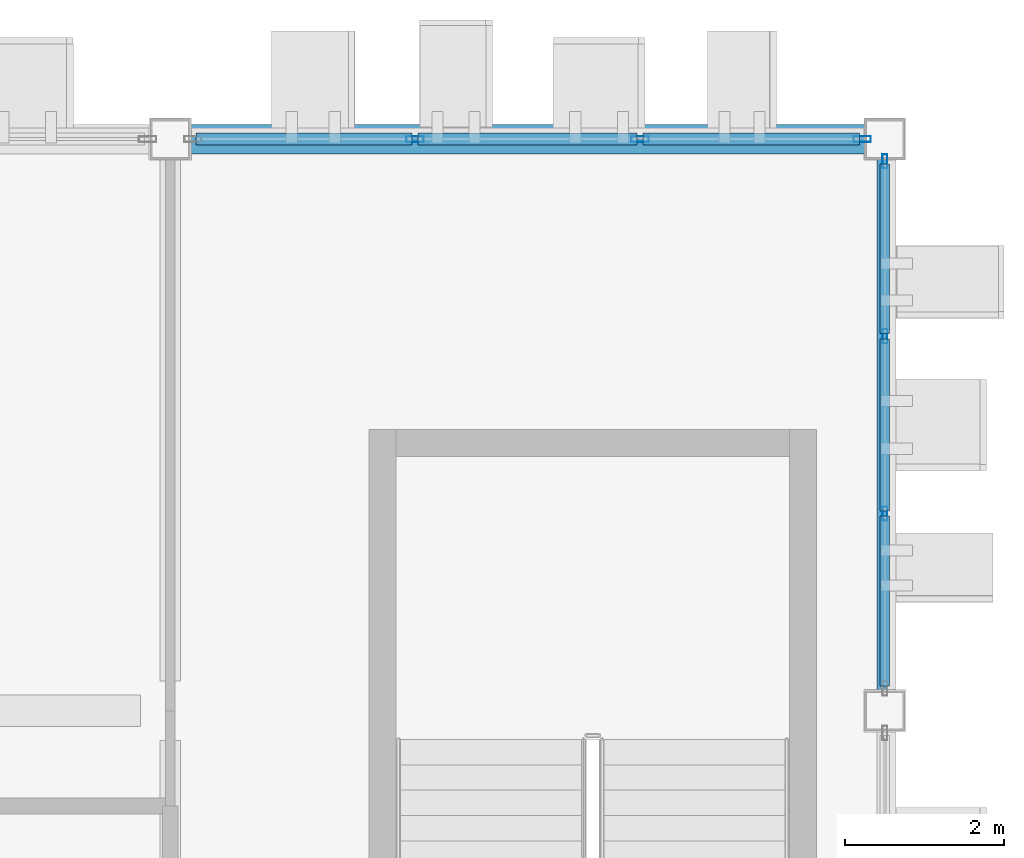
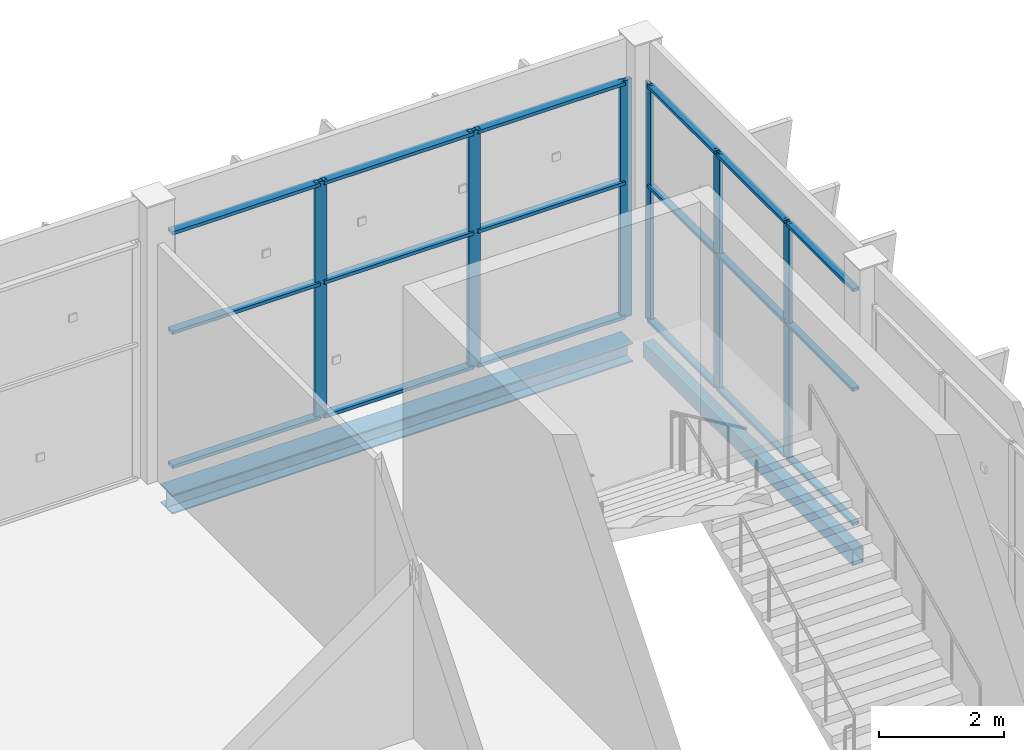
# One storey, part 111 of 189: 24 members, 2 beams, 2 elements without a shape of their own.
"""IFC4 building model written with IfcOpenShell, lengths in metres."""

from ifc_helpers import new_model, si_unit, direction, frame, origin, origin_2d, place, context, subcontext, project, spatial, hollow_rectangle, i_section, extrude, material, layer, layer_set, material_profile, profile_set, type_object, element, aggregate, save


model = new_model("IFC4")

# Units and contexts
model_context = context("Model", 3, precision=1e-05, world=origin(), true_north=direction((0.0, 1.0)))
body_context = subcontext(model_context, "Body", "Model", "MODEL_VIEW")
ifc_project = project(units=[si_unit("LENGTHUNIT", "METRE"), si_unit("AREAUNIT", "SQUARE_METRE"), si_unit("VOLUMEUNIT", "CUBIC_METRE"), si_unit("PLANEANGLEUNIT", "RADIAN"), si_unit("MASSUNIT", "GRAM", prefix="KILO")], contexts=[model_context])

# Site, building, storey
site_placement = place(None, origin())
site = spatial("IfcSite", under=ifc_project, at=site_placement, CompositionType="ELEMENT")
building_placement = place(site_placement, origin())
building = spatial("IfcBuilding", under=site, at=building_placement, Name="Celestram Park Convention Centre", CompositionType="ELEMENT")
storey_placement = place(building_placement, frame((0.0, 0.0, 5.39990234375)))
storey = spatial("IfcBuildingStorey", under=building, at=storey_placement, Name="L01", CompositionType="ELEMENT", Elevation=5.39990234375)

# Curtain wall, members
ifc_material_1 = material(Name="Anodised Aluminium Alloy 6063-T6", Category="aluminium")
ifc_layer_1 = layer(ifc_material_1, 0.179931640625)
ifc_layer_set_1 = layer_set([ifc_layer_1], Name="Anodised Aluminium Alloy 6063-T6")
curtain_wall_type_1 = type_object("IfcCurtainWallType", Name="ARC-CW-670X462", PredefinedType="NOTDEFINED", material=ifc_layer_set_1)
curtain_wall_1_placement = place(storey_placement, origin())
curtain_wall_1 = element("IfcCurtainWall", 1, at=curtain_wall_1_placement, inside=storey, type_object=curtain_wall_type_1, Name="Unitised curtain wall CU-L01-075", PredefinedType="NOTDEFINED")
ifc_material_profile_1 = material_profile(ifc_material_1, hollow_rectangle(XDim=0.06494140625, YDim=0.179931640625, WallThickness=0.00390625, at=origin_2d()), Name="ALU65X180X4")
ifc_profile_set_1 = profile_set([ifc_material_profile_1], Name="Anodised Aluminium Alloy 6063-T6")
member_type_1 = type_object("IfcMemberType", Name="ARC-CWM-150", PredefinedType="MULLION", material=ifc_profile_set_1)
member_1_placement = place(storey_placement, frame((216.0, 165.319580078125, 0.0), z_axis=(0.0, 0.0, 1.0), x_axis=(1.0, 0.0, 0.0)))
member_1 = element("IfcMember", 2, at=member_1_placement, type_object=member_type_1, Name="CW-67X46 mullion 1", PredefinedType="MULLION", context=body_context, shape_type="SweptSolid", body=[
    extrude(hollow_rectangle(XDim=0.06494140625, YDim=0.179931640625, WallThickness=0.00390625, at=origin_2d()), origin(), (0.0, 0.0, 1.0), 4.6240234375),
])
member_2_placement = place(storey_placement, frame((216.0, 163.117431640625, 0.0), z_axis=(0.0, 0.0, 1.0), x_axis=(1.0, 0.0, 0.0)))
member_2 = element("IfcMember", 3, at=member_2_placement, type_object=member_type_1, Name="CW-67X46 mullion 2", PredefinedType="MULLION", context=body_context, shape_type="SweptSolid", body=[
    extrude(hollow_rectangle(XDim=0.06494140625, YDim=0.179931640625, WallThickness=0.00390625, at=origin_2d()), origin(), (0.0, 0.0, 1.0), 4.6240234375),
])
member_3_placement = place(storey_placement, frame((216.0, 160.882568359375, 0.0), z_axis=(0.0, 0.0, 1.0), x_axis=(1.0, 0.0, 0.0)))
member_3 = element("IfcMember", 4, at=member_3_placement, type_object=member_type_1, Name="CW-67X46 mullion 3", PredefinedType="MULLION", context=body_context, shape_type="SweptSolid", body=[
    extrude(hollow_rectangle(XDim=0.06494140625, YDim=0.179931640625, WallThickness=0.00390625, at=origin_2d()), origin(), (0.0, 0.0, 1.0), 4.6240234375),
])

ifc_layer_2 = layer(ifc_material_1, 0.179931640625)
ifc_layer_set_2 = layer_set([ifc_layer_2], Name="Anodised Aluminium Alloy 6063-T6")
curtain_wall_type_2 = type_object("IfcCurtainWallType", Name="ARC-CW-850X462", PredefinedType="NOTDEFINED", material=ifc_layer_set_2)
curtain_wall_2_placement = place(storey_placement, origin())
curtain_wall_2 = element("IfcCurtainWall", 5, at=curtain_wall_2_placement, inside=storey, type_object=curtain_wall_type_2, Name="Unitised curtain wall CU-L01-074", PredefinedType="NOTDEFINED")
ifc_material_profile_2 = material_profile(ifc_material_1, hollow_rectangle(XDim=0.074951171875, YDim=0.219970703125, WallThickness=0.00390625, at=origin_2d()), Name="ALU75X220X4")
ifc_profile_set_2 = profile_set([ifc_material_profile_2], Name="Anodised Aluminium Alloy 6063-T6")
member_type_2 = type_object("IfcMemberType", Name="ARC-CWM-180", PredefinedType="MULLION", material=ifc_profile_set_2)
member_4_placement = place(storey_placement, frame((210.082763671875, 165.60009765625, 0.0), z_axis=(0.0, 0.0, 1.0), x_axis=(0.0, 1.0, 0.0)))
member_4 = element("IfcMember", 6, at=member_4_placement, type_object=member_type_2, Name="CW-85X46 mullion 2", PredefinedType="MULLION", context=body_context, shape_type="SweptSolid", body=[
    extrude(hollow_rectangle(XDim=0.074951171875, YDim=0.219970703125, WallThickness=0.00390625, at=origin_2d()), origin(), (0.0, 0.0, 1.0), 4.6240234375),
])
member_5_placement = place(storey_placement, frame((212.917236328125, 165.60009765625, 0.0), z_axis=(0.0, 0.0, 1.0), x_axis=(0.0, 1.0, 0.0)))
member_5 = element("IfcMember", 7, at=member_5_placement, type_object=member_type_2, Name="CW-85X46 mullion 3", PredefinedType="MULLION", context=body_context, shape_type="SweptSolid", body=[
    extrude(hollow_rectangle(XDim=0.074951171875, YDim=0.219970703125, WallThickness=0.00390625, at=origin_2d()), origin(), (0.0, 0.0, 1.0), 4.6240234375),
])
member_6_placement = place(storey_placement, frame((215.714599609375, 165.60009765625, 0.0), z_axis=(0.0, 0.0, 1.0), x_axis=(0.0, 1.0, 0.0)))
member_6 = element("IfcMember", 8, at=member_6_placement, type_object=member_type_2, Name="CW-85X46 mullion 4", PredefinedType="MULLION", context=body_context, shape_type="SweptSolid", body=[
    extrude(hollow_rectangle(XDim=0.074951171875, YDim=0.219970703125, WallThickness=0.00390625, at=origin_2d()), origin(), (0.0, 0.0, 1.0), 4.6240234375),
])

# Member
ifc_material_profile_3 = material_profile(ifc_material_1, hollow_rectangle(XDim=0.1201171875, YDim=0.06005859375, WallThickness=0.0029296875, at=origin_2d()), Name="ALU120X60X3")
ifc_profile_set_3 = profile_set([ifc_material_profile_3], Name="Anodised Aluminium Alloy 6063-T6")
member_type_3 = type_object("IfcMemberType", Name="ARC-CWT-120", PredefinedType="USERDEFINED", material=ifc_profile_set_3)
member_7_placement = place(storey_placement, frame((216.0, 165.287109375, 0.030029296875), z_axis=(0.0, -1.0, 0.0), x_axis=(1.0, 0.0, 0.0)))
member_7 = element("IfcMember", 9, at=member_7_placement, type_object=member_type_3, Name="CW-67X46 transom 1.1", ObjectType="TRANSOM", PredefinedType="USERDEFINED", context=body_context, shape_type="SweptSolid", body=[
    extrude(hollow_rectangle(XDim=0.1201171875, YDim=0.06005859375, WallThickness=0.0029296875, at=origin_2d()), origin(), (0.0, 0.0, 1.0), 2.13720703125),
])

member_8_placement = place(storey_placement, frame((216.0, 165.287109375, 2.650146484375), z_axis=(0.0, -1.0, 0.0), x_axis=(1.0, 0.0, 0.0)))
member_8 = element("IfcMember", 10, at=member_8_placement, type_object=member_type_3, Name="CW-67X46 transom 1.2", ObjectType="TRANSOM", PredefinedType="USERDEFINED", context=body_context, shape_type="SweptSolid", body=[
    extrude(hollow_rectangle(XDim=0.1201171875, YDim=0.06005859375, WallThickness=0.0029296875, at=origin_2d()), origin(), (0.0, 0.0, 1.0), 2.13720703125),
])

member_9_placement = place(storey_placement, frame((216.0, 165.287109375, 4.593994140625), z_axis=(0.0, -1.0, 0.0), x_axis=(1.0, 0.0, 0.0)))
member_9 = element("IfcMember", 11, at=member_9_placement, type_object=member_type_3, Name="CW-67X46 transom 1.3", ObjectType="TRANSOM", PredefinedType="USERDEFINED", context=body_context, shape_type="SweptSolid", body=[
    extrude(hollow_rectangle(XDim=0.1201171875, YDim=0.06005859375, WallThickness=0.0029296875, at=origin_2d()), origin(), (0.0, 0.0, 1.0), 2.13720703125),
])

member_10_placement = place(storey_placement, frame((216.0, 163.084716796875, 0.030029296875), z_axis=(0.0, -1.0, 0.0), x_axis=(1.0, 0.0, 0.0)))
member_10 = element("IfcMember", 12, at=member_10_placement, type_object=member_type_3, Name="CW-67X46 transom 2.1", ObjectType="TRANSOM", PredefinedType="USERDEFINED", context=body_context, shape_type="SweptSolid", body=[
    extrude(hollow_rectangle(XDim=0.1201171875, YDim=0.06005859375, WallThickness=0.0029296875, at=origin_2d()), origin(), (0.0, 0.0, 1.0), 2.16943359375),
])

member_11_placement = place(storey_placement, frame((216.0, 163.084716796875, 2.650146484375), z_axis=(0.0, -1.0, 0.0), x_axis=(1.0, 0.0, 0.0)))
member_11 = element("IfcMember", 13, at=member_11_placement, type_object=member_type_3, Name="CW-67X46 transom 2.2", ObjectType="TRANSOM", PredefinedType="USERDEFINED", context=body_context, shape_type="SweptSolid", body=[
    extrude(hollow_rectangle(XDim=0.1201171875, YDim=0.06005859375, WallThickness=0.0029296875, at=origin_2d()), origin(), (0.0, 0.0, 1.0), 2.16943359375),
])

member_12_placement = place(storey_placement, frame((216.0, 163.084716796875, 4.593994140625), z_axis=(0.0, -1.0, 0.0), x_axis=(1.0, 0.0, 0.0)))
member_12 = element("IfcMember", 14, at=member_12_placement, type_object=member_type_3, Name="CW-67X46 transom 2.3", ObjectType="TRANSOM", PredefinedType="USERDEFINED", context=body_context, shape_type="SweptSolid", body=[
    extrude(hollow_rectangle(XDim=0.1201171875, YDim=0.06005859375, WallThickness=0.0029296875, at=origin_2d()), origin(), (0.0, 0.0, 1.0), 2.16943359375),
])

member_13_placement = place(storey_placement, frame((216.0, 160.85009765625, 0.030029296875), z_axis=(0.0, -1.0, 0.0), x_axis=(1.0, 0.0, 0.0)))
member_13 = element("IfcMember", 15, at=member_13_placement, type_object=member_type_3, Name="CW-67X46 transom 3.1", ObjectType="TRANSOM", PredefinedType="USERDEFINED", context=body_context, shape_type="SweptSolid", body=[
    extrude(hollow_rectangle(XDim=0.1201171875, YDim=0.06005859375, WallThickness=0.0029296875, at=origin_2d()), origin(), (0.0, 0.0, 1.0), 2.13720703125),
])

member_14_placement = place(storey_placement, frame((216.0, 160.85009765625, 2.650146484375), z_axis=(0.0, -1.0, 0.0), x_axis=(1.0, 0.0, 0.0)))
member_14 = element("IfcMember", 16, at=member_14_placement, type_object=member_type_3, Name="CW-67X46 transom 3.2", ObjectType="TRANSOM", PredefinedType="USERDEFINED", context=body_context, shape_type="SweptSolid", body=[
    extrude(hollow_rectangle(XDim=0.1201171875, YDim=0.06005859375, WallThickness=0.0029296875, at=origin_2d()), origin(), (0.0, 0.0, 1.0), 2.13720703125),
])

member_15_placement = place(storey_placement, frame((216.0, 160.85009765625, 4.593994140625), z_axis=(0.0, -1.0, 0.0), x_axis=(1.0, 0.0, 0.0)))
member_15 = element("IfcMember", 17, at=member_15_placement, type_object=member_type_3, Name="CW-67X46 transom 3.3", ObjectType="TRANSOM", PredefinedType="USERDEFINED", context=body_context, shape_type="SweptSolid", body=[
    extrude(hollow_rectangle(XDim=0.1201171875, YDim=0.06005859375, WallThickness=0.0029296875, at=origin_2d()), origin(), (0.0, 0.0, 1.0), 2.13720703125),
])

aggregate(curtain_wall_1, [member_1, member_2, member_3, member_7, member_8, member_9, member_10, member_11, member_12, member_13, member_14, member_15])

ifc_material_profile_4 = material_profile(ifc_material_1, hollow_rectangle(XDim=0.14990234375, YDim=0.06494140625, WallThickness=0.0029296875, at=origin_2d()), Name="ALU150X65X3")
ifc_profile_set_4 = profile_set([ifc_material_profile_4], Name="Anodised Aluminium Alloy 6063-T6")
member_type_4 = type_object("IfcMemberType", Name="ARC-CWT-150", PredefinedType="USERDEFINED", material=ifc_profile_set_4)
member_16_placement = place(storey_placement, frame((207.322998046875, 165.60009765625, 0.03271484375), z_axis=(1.0, 0.0, 0.0), x_axis=(0.0, 1.0, 0.0)))
member_16 = element("IfcMember", 18, at=member_16_placement, type_object=member_type_4, Name="CW-85X46 transom 1.1", ObjectType="TRANSOM", PredefinedType="USERDEFINED", context=body_context, shape_type="SweptSolid", body=[
    extrude(hollow_rectangle(XDim=0.14990234375, YDim=0.06494140625, WallThickness=0.0029296875, at=origin_2d()), origin(), (0.0, 0.0, 1.0), 2.72216796875),
])

member_17_placement = place(storey_placement, frame((207.322998046875, 165.60009765625, 2.650146484375), z_axis=(1.0, 0.0, 0.0), x_axis=(0.0, 1.0, 0.0)))
member_17 = element("IfcMember", 19, at=member_17_placement, type_object=member_type_4, Name="CW-85X46 transom 1.2", ObjectType="TRANSOM", PredefinedType="USERDEFINED", context=body_context, shape_type="SweptSolid", body=[
    extrude(hollow_rectangle(XDim=0.14990234375, YDim=0.06494140625, WallThickness=0.0029296875, at=origin_2d()), origin(), (0.0, 0.0, 1.0), 2.72216796875),
])

member_18_placement = place(storey_placement, frame((207.322998046875, 165.60009765625, 4.591552734375), z_axis=(1.0, 0.0, 0.0), x_axis=(0.0, 1.0, 0.0)))
member_18 = element("IfcMember", 20, at=member_18_placement, type_object=member_type_4, Name="CW-85X46 transom 1.3", ObjectType="TRANSOM", PredefinedType="USERDEFINED", context=body_context, shape_type="SweptSolid", body=[
    extrude(hollow_rectangle(XDim=0.14990234375, YDim=0.06494140625, WallThickness=0.0029296875, at=origin_2d()), origin(), (0.0, 0.0, 1.0), 2.72216796875),
])

member_19_placement = place(storey_placement, frame((210.1201171875, 165.60009765625, 0.03271484375), z_axis=(1.0, 0.0, 0.0), x_axis=(0.0, 1.0, 0.0)))
member_19 = element("IfcMember", 21, at=member_19_placement, type_object=member_type_4, Name="CW-85X46 transom 2.1", ObjectType="TRANSOM", PredefinedType="USERDEFINED", context=body_context, shape_type="SweptSolid", body=[
    extrude(hollow_rectangle(XDim=0.14990234375, YDim=0.06494140625, WallThickness=0.0029296875, at=origin_2d()), origin(), (0.0, 0.0, 1.0), 2.759765625),
])

member_20_placement = place(storey_placement, frame((210.1201171875, 165.60009765625, 2.650146484375), z_axis=(1.0, 0.0, 0.0), x_axis=(0.0, 1.0, 0.0)))
member_20 = element("IfcMember", 22, at=member_20_placement, type_object=member_type_4, Name="CW-85X46 transom 2.2", ObjectType="TRANSOM", PredefinedType="USERDEFINED", context=body_context, shape_type="SweptSolid", body=[
    extrude(hollow_rectangle(XDim=0.14990234375, YDim=0.06494140625, WallThickness=0.0029296875, at=origin_2d()), origin(), (0.0, 0.0, 1.0), 2.759765625),
])

member_21_placement = place(storey_placement, frame((210.1201171875, 165.60009765625, 4.591552734375), z_axis=(1.0, 0.0, 0.0), x_axis=(0.0, 1.0, 0.0)))
member_21 = element("IfcMember", 23, at=member_21_placement, type_object=member_type_4, Name="CW-85X46 transom 2.3", ObjectType="TRANSOM", PredefinedType="USERDEFINED", context=body_context, shape_type="SweptSolid", body=[
    extrude(hollow_rectangle(XDim=0.14990234375, YDim=0.06494140625, WallThickness=0.0029296875, at=origin_2d()), origin(), (0.0, 0.0, 1.0), 2.759765625),
])

member_22_placement = place(storey_placement, frame((212.954833984375, 165.60009765625, 0.03271484375), z_axis=(1.0, 0.0, 0.0), x_axis=(0.0, 1.0, 0.0)))
member_22 = element("IfcMember", 24, at=member_22_placement, type_object=member_type_4, Name="CW-85X46 transom 3.1", ObjectType="TRANSOM", PredefinedType="USERDEFINED", context=body_context, shape_type="SweptSolid", body=[
    extrude(hollow_rectangle(XDim=0.14990234375, YDim=0.06494140625, WallThickness=0.0029296875, at=origin_2d()), origin(), (0.0, 0.0, 1.0), 2.72216796875),
])

member_23_placement = place(storey_placement, frame((212.954833984375, 165.60009765625, 2.650146484375), z_axis=(1.0, 0.0, 0.0), x_axis=(0.0, 1.0, 0.0)))
member_23 = element("IfcMember", 25, at=member_23_placement, type_object=member_type_4, Name="CW-85X46 transom 3.2", ObjectType="TRANSOM", PredefinedType="USERDEFINED", context=body_context, shape_type="SweptSolid", body=[
    extrude(hollow_rectangle(XDim=0.14990234375, YDim=0.06494140625, WallThickness=0.0029296875, at=origin_2d()), origin(), (0.0, 0.0, 1.0), 2.72216796875),
])

member_24_placement = place(storey_placement, frame((212.954833984375, 165.60009765625, 4.591552734375), z_axis=(1.0, 0.0, 0.0), x_axis=(0.0, 1.0, 0.0)))
member_24 = element("IfcMember", 26, at=member_24_placement, type_object=member_type_4, Name="CW-85X46 transom 3.3", ObjectType="TRANSOM", PredefinedType="USERDEFINED", context=body_context, shape_type="SweptSolid", body=[
    extrude(hollow_rectangle(XDim=0.14990234375, YDim=0.06494140625, WallThickness=0.0029296875, at=origin_2d()), origin(), (0.0, 0.0, 1.0), 2.72216796875),
])

aggregate(curtain_wall_2, [member_4, member_5, member_6, member_16, member_17, member_18, member_19, member_20, member_21, member_22, member_23, member_24])

# Beams
ifc_material_2 = material(Name="Steel ASTM A500 Grade C", Category="steel")
ifc_material_profile_5 = material_profile(ifc_material_2, hollow_rectangle(XDim=0.199951171875, YDim=0.300048828125, WallThickness=0.011962890625, at=origin_2d()), Name="HSS300X200X12")
ifc_profile_set_5 = profile_set([ifc_material_profile_5], Name="Steel ASTM A500 Grade C")
beam_type_1 = type_object("IfcBeamType", Name="STR-SPN-HSS300X200", PredefinedType="SPANDREL", material=ifc_profile_set_5)
beam_1_placement = place(storey_placement, frame((216.0, 158.64794921875, -0.56982421875), z_axis=(0.0, 1.0, 0.0), x_axis=(-1.0, 0.0, 0.0)))
element("IfcBeam", 27, at=beam_1_placement, inside=storey, type_object=beam_type_1, Name="Primary Y-girder BG-L01-0544", PredefinedType="SPANDREL", context=body_context, shape_type="SweptSolid", body=[
    extrude(hollow_rectangle(XDim=0.199951171875, YDim=0.300048828125, WallThickness=0.011962890625, at=origin_2d()), origin(), (0.0, 0.0, 1.0), 6.7041015625),
])
ifc_material_3 = material(Name="Steel ASTM A992 Grade 50", Category="steel")
ifc_material_profile_6 = material_profile(ifc_material_3, i_section(OverallWidth=0.373046875, OverallDepth=0.373046875, WebThickness=0.016357421875, FlangeThickness=0.026123046875, at=origin_2d()), Name="W14X132")
ifc_profile_set_6 = profile_set([ifc_material_profile_6], Name="Steel ASTM A992 Grade 50")
beam_type_2 = type_object("IfcBeamType", Name="STR-SPN-W14X132", PredefinedType="SPANDREL", material=ifc_profile_set_6)
beam_2_placement = place(storey_placement, frame((207.248046875, 165.60009765625, -0.6064453125), z_axis=(1.0, 0.0, 0.0), x_axis=(0.0, 1.0, 0.0)))
element("IfcBeam", 28, at=beam_2_placement, inside=storey, type_object=beam_type_2, Name="Primary X-girder BG-L01-0532", PredefinedType="SPANDREL", context=body_context, shape_type="SweptSolid", body=[
    extrude(i_section(OverallWidth=0.373046875, OverallDepth=0.373046875, WebThickness=0.016357421875, FlangeThickness=0.026123046875, at=origin_2d()), origin(), (0.0, 0.0, 1.0), 8.50390625),
])

save(model, "model.ifc")
